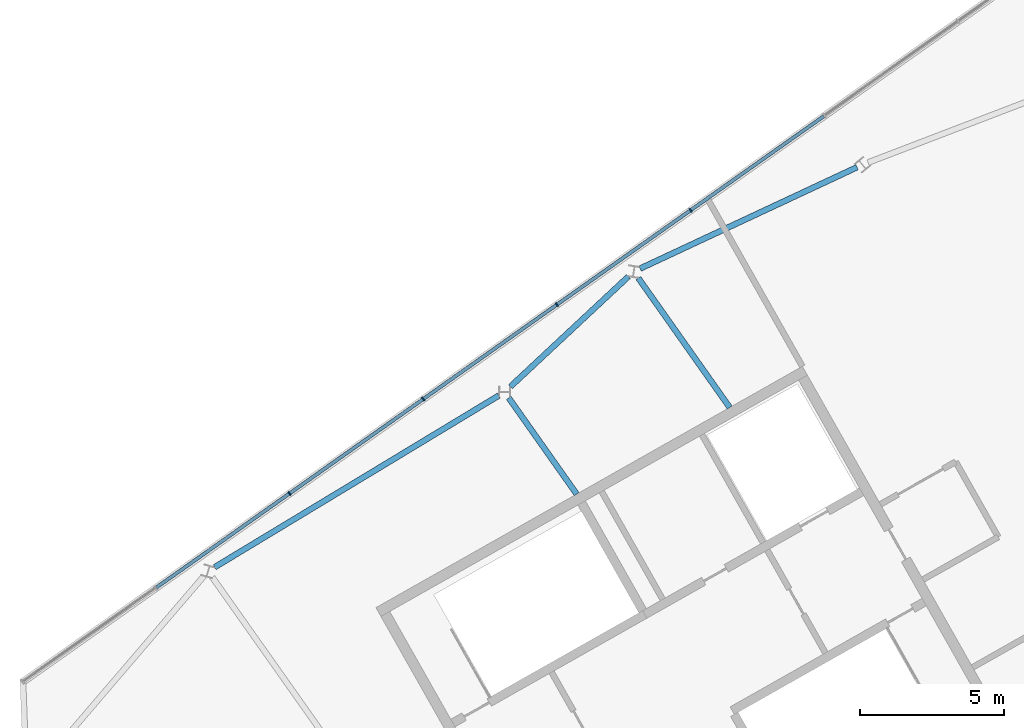
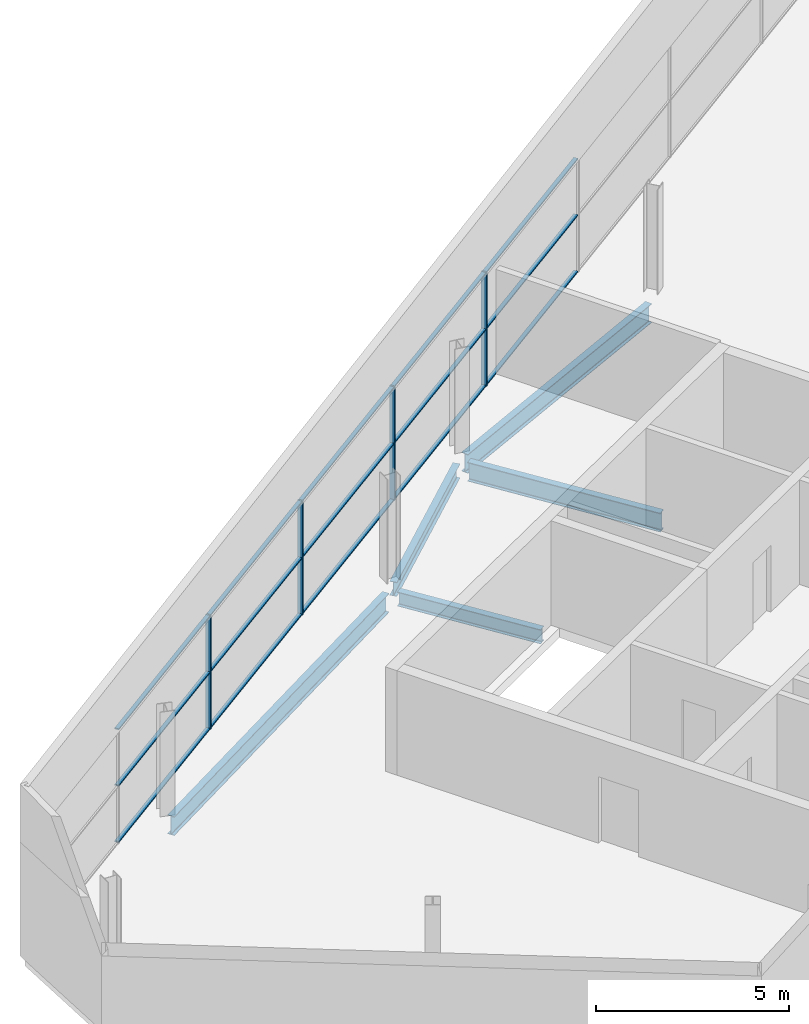
# One storey, part 5 of 10: 19 members, 5 beams, 1 element without a shape of its own.
"""IFC4 building model written with IfcOpenShell, lengths in metres."""

from ifc_helpers import new_model, si_unit, direction, frame, origin, origin_2d, place, context, subcontext, project, spatial, rectangle, i_section, extrude, material, material_profile, profile_set, type_object, element, aggregate, save


model = new_model("IFC4")

# Units and contexts
model_context = context("Model", 3, precision=1e-05, world=origin(), true_north=direction((0.0, 1.0)))
body_context = subcontext(model_context, "Body", "Model", "MODEL_VIEW")
ifc_project = project(units=[si_unit("LENGTHUNIT", "METRE"), si_unit("AREAUNIT", "SQUARE_METRE"), si_unit("VOLUMEUNIT", "CUBIC_METRE"), si_unit("PLANEANGLEUNIT", "RADIAN"), si_unit("MASSUNIT", "GRAM", prefix="KILO")], contexts=[model_context])

# Site, building, storey
site_placement = place(None, origin())
site = spatial("IfcSite", under=ifc_project, at=site_placement, CompositionType="ELEMENT")
building_placement = place(site_placement, origin())
building = spatial("IfcBuilding", under=site, at=building_placement, Name="Binnacle Exchange Tower", CompositionType="ELEMENT")
storey_placement = place(building_placement, frame((0.0, 0.0, 368.5)))
storey = spatial("IfcBuildingStorey", under=building, at=storey_placement, Name="L85", CompositionType="ELEMENT", Elevation=368.5)

# Curtain wall, members
ifc_material_1 = material(Name="Bronze anodised aluminium frame", Category="aluminium")
curtain_wall_type = type_object("IfcCurtainWallType", Name="External wall - curtain wall crown top", PredefinedType="NOTDEFINED", material=ifc_material_1)
curtain_wall_placement = place(storey_placement, origin())
curtain_wall = element("IfcCurtainWall", 1, at=curtain_wall_placement, inside=storey, type_object=curtain_wall_type, Name="External wall curtain wall CW6-C303 L85", PredefinedType="NOTDEFINED")
ifc_material_profile_1 = material_profile(ifc_material_1, rectangle(XDim=0.14990234375, YDim=0.050048828125, at=origin_2d()), Name="AL 50x150")
ifc_profile_set_1 = profile_set([ifc_material_profile_1], Name="Bronze anodised aluminium frame")
member_type_1 = type_object("IfcMemberType", Name="CW6 MULLION 50x150", PredefinedType="MULLION", material=ifc_profile_set_1)
member_1_placement = place(storey_placement, frame((-35.6904296875, 55.4619140625, 0.0), z_axis=(0.0, 0.0, 1.0), x_axis=(0.576854127285, -0.816847180221, 0.0)))
member_1 = element("IfcMember", 2, at=member_1_placement, type_object=member_type_1, Name="CW6-C303 mullion 5", PredefinedType="MULLION", context=body_context, shape_type="SweptSolid", body=[
    extrude(rectangle(XDim=0.14990234375, YDim=0.050048828125, at=origin_2d()), origin(), (0.0, 0.0, 1.0), 3.60009765625),
])
member_2_placement = place(storey_placement, frame((-40.329833984375, 52.185546875, 0.0), z_axis=(0.0, 0.0, 1.0), x_axis=(0.576854127285, -0.816847180221, 0.0)))
member_2 = element("IfcMember", 3, at=member_2_placement, type_object=member_type_1, Name="CW6-C303 mullion 6", PredefinedType="MULLION", context=body_context, shape_type="SweptSolid", body=[
    extrude(rectangle(XDim=0.14990234375, YDim=0.050048828125, at=origin_2d()), origin(), (0.0, 0.0, 1.0), 3.60009765625),
])
member_3_placement = place(storey_placement, frame((-44.969482421875, 48.9091796875, 0.0), z_axis=(0.0, 0.0, 1.0), x_axis=(0.576854127285, -0.816847180221, 0.0)))
member_3 = element("IfcMember", 4, at=member_3_placement, type_object=member_type_1, Name="CW6-C303 mullion 7", PredefinedType="MULLION", context=body_context, shape_type="SweptSolid", body=[
    extrude(rectangle(XDim=0.14990234375, YDim=0.050048828125, at=origin_2d()), origin(), (0.0, 0.0, 1.0), 3.60009765625),
])
member_4_placement = place(storey_placement, frame((-49.60888671875, 45.6328125, 0.0), z_axis=(0.0, 0.0, 1.0), x_axis=(0.576854127285, -0.816847180221, 0.0)))
member_4 = element("IfcMember", 5, at=member_4_placement, type_object=member_type_1, Name="CW6-C303 mullion 8", PredefinedType="MULLION", context=body_context, shape_type="SweptSolid", body=[
    extrude(rectangle(XDim=0.14990234375, YDim=0.050048828125, at=origin_2d()), origin(), (0.0, 0.0, 1.0), 3.60009765625),
])
ifc_material_profile_2 = material_profile(ifc_material_1, rectangle(XDim=0.1201171875, YDim=0.0400390625, at=origin_2d()), Name="AL 120x40")
ifc_profile_set_2 = profile_set([ifc_material_profile_2], Name="Bronze anodised aluminium frame")
member_type_2 = type_object("IfcMemberType", Name="CW6 TRANSOM 40x120", PredefinedType="USERDEFINED", material=ifc_profile_set_2)
member_5_placement = place(storey_placement, frame((-31.0712890625, 58.723876953125, 0.02001953125), z_axis=(-0.816845257746, -0.576856849572, 0.0), x_axis=(0.576856849572, -0.816845257746, 0.0)))
member_5 = element("IfcMember", 6, at=member_5_placement, type_object=member_type_2, Name="CW6-C303 transom 4.1", ObjectType="TRANSOM", PredefinedType="USERDEFINED", context=body_context, shape_type="SweptSolid", body=[
    extrude(rectangle(XDim=0.1201171875, YDim=0.0400390625, at=origin_2d()), origin(), (0.0, 0.0, 1.0), 5.629638671875),
])
member_6_placement = place(storey_placement, frame((-31.0712890625, 58.723876953125, 1.800048828125), z_axis=(-0.816845257746, -0.576856849572, 0.0), x_axis=(0.576856849572, -0.816845257746, 0.0)))
member_6 = element("IfcMember", 7, at=member_6_placement, type_object=member_type_2, Name="CW6-C303 transom 4.2", ObjectType="TRANSOM", PredefinedType="USERDEFINED", context=body_context, shape_type="SweptSolid", body=[
    extrude(rectangle(XDim=0.1201171875, YDim=0.0400390625, at=origin_2d()), origin(), (0.0, 0.0, 1.0), 5.629638671875),
])
member_7_placement = place(storey_placement, frame((-31.0712890625, 58.723876953125, 3.580078125), z_axis=(-0.816845257746, -0.576856849572, 0.0), x_axis=(0.576856849572, -0.816845257746, 0.0)))
member_7 = element("IfcMember", 8, at=member_7_placement, type_object=member_type_2, Name="CW6-C303 transom 4.3", ObjectType="TRANSOM", PredefinedType="USERDEFINED", context=body_context, shape_type="SweptSolid", body=[
    extrude(rectangle(XDim=0.1201171875, YDim=0.0400390625, at=origin_2d()), origin(), (0.0, 0.0, 1.0), 5.629638671875),
])
member_8_placement = place(storey_placement, frame((-35.710693359375, 55.447509765625, 0.02001953125), z_axis=(-0.816859687673, -0.576836415853, 0.0), x_axis=(0.576836415853, -0.816859687673, 0.0)))
member_8 = element("IfcMember", 9, at=member_8_placement, type_object=member_type_2, Name="CW6-C303 transom 5.1", ObjectType="TRANSOM", PredefinedType="USERDEFINED", context=body_context, shape_type="SweptSolid", body=[
    extrude(rectangle(XDim=0.1201171875, YDim=0.0400390625, at=origin_2d()), origin(), (0.0, 0.0, 1.0), 5.6298828125),
])
member_9_placement = place(storey_placement, frame((-35.710693359375, 55.447509765625, 1.800048828125), z_axis=(-0.816859687673, -0.576836415853, 0.0), x_axis=(0.576836415853, -0.816859687673, 0.0)))
member_9 = element("IfcMember", 10, at=member_9_placement, type_object=member_type_2, Name="CW6-C303 transom 5.2", ObjectType="TRANSOM", PredefinedType="USERDEFINED", context=body_context, shape_type="SweptSolid", body=[
    extrude(rectangle(XDim=0.1201171875, YDim=0.0400390625, at=origin_2d()), origin(), (0.0, 0.0, 1.0), 5.6298828125),
])
member_10_placement = place(storey_placement, frame((-35.710693359375, 55.447509765625, 3.580078125), z_axis=(-0.816859687673, -0.576836415853, 0.0), x_axis=(0.576836415853, -0.816859687673, 0.0)))
member_10 = element("IfcMember", 11, at=member_10_placement, type_object=member_type_2, Name="CW6-C303 transom 5.3", ObjectType="TRANSOM", PredefinedType="USERDEFINED", context=body_context, shape_type="SweptSolid", body=[
    extrude(rectangle(XDim=0.1201171875, YDim=0.0400390625, at=origin_2d()), origin(), (0.0, 0.0, 1.0), 5.6298828125),
])
member_11_placement = place(storey_placement, frame((-40.350341796875, 52.171142578125, 0.02001953125), z_axis=(-0.816845257746, -0.576856849572, 0.0), x_axis=(0.576856849572, -0.816845257746, 0.0)))
member_11 = element("IfcMember", 12, at=member_11_placement, type_object=member_type_2, Name="CW6-C303 transom 6.1", ObjectType="TRANSOM", PredefinedType="USERDEFINED", context=body_context, shape_type="SweptSolid", body=[
    extrude(rectangle(XDim=0.1201171875, YDim=0.0400390625, at=origin_2d()), origin(), (0.0, 0.0, 1.0), 5.629638671875),
])
member_12_placement = place(storey_placement, frame((-40.350341796875, 52.171142578125, 1.800048828125), z_axis=(-0.816845257746, -0.576856849572, 0.0), x_axis=(0.576856849572, -0.816845257746, 0.0)))
member_12 = element("IfcMember", 13, at=member_12_placement, type_object=member_type_2, Name="CW6-C303 transom 6.2", ObjectType="TRANSOM", PredefinedType="USERDEFINED", context=body_context, shape_type="SweptSolid", body=[
    extrude(rectangle(XDim=0.1201171875, YDim=0.0400390625, at=origin_2d()), origin(), (0.0, 0.0, 1.0), 5.629638671875),
])
member_13_placement = place(storey_placement, frame((-40.350341796875, 52.171142578125, 3.580078125), z_axis=(-0.816845257746, -0.576856849572, 0.0), x_axis=(0.576856849572, -0.816845257746, 0.0)))
member_13 = element("IfcMember", 14, at=member_13_placement, type_object=member_type_2, Name="CW6-C303 transom 6.3", ObjectType="TRANSOM", PredefinedType="USERDEFINED", context=body_context, shape_type="SweptSolid", body=[
    extrude(rectangle(XDim=0.1201171875, YDim=0.0400390625, at=origin_2d()), origin(), (0.0, 0.0, 1.0), 5.629638671875),
])
member_14_placement = place(storey_placement, frame((-44.989990234375, 48.894775390625, 0.02001953125), z_axis=(-0.816845257746, -0.576856849572, 0.0), x_axis=(0.576856849572, -0.816845257746, 0.0)))
member_14 = element("IfcMember", 15, at=member_14_placement, type_object=member_type_2, Name="CW6-C303 transom 7.1", ObjectType="TRANSOM", PredefinedType="USERDEFINED", context=body_context, shape_type="SweptSolid", body=[
    extrude(rectangle(XDim=0.1201171875, YDim=0.0400390625, at=origin_2d()), origin(), (0.0, 0.0, 1.0), 5.629638671875),
])
member_15_placement = place(storey_placement, frame((-44.989990234375, 48.894775390625, 1.800048828125), z_axis=(-0.816845257746, -0.576856849572, 0.0), x_axis=(0.576856849572, -0.816845257746, 0.0)))
member_15 = element("IfcMember", 16, at=member_15_placement, type_object=member_type_2, Name="CW6-C303 transom 7.2", ObjectType="TRANSOM", PredefinedType="USERDEFINED", context=body_context, shape_type="SweptSolid", body=[
    extrude(rectangle(XDim=0.1201171875, YDim=0.0400390625, at=origin_2d()), origin(), (0.0, 0.0, 1.0), 5.629638671875),
])
member_16_placement = place(storey_placement, frame((-44.989990234375, 48.894775390625, 3.580078125), z_axis=(-0.816845257746, -0.576856849572, 0.0), x_axis=(0.576856849572, -0.816845257746, 0.0)))
member_16 = element("IfcMember", 17, at=member_16_placement, type_object=member_type_2, Name="CW6-C303 transom 7.3", ObjectType="TRANSOM", PredefinedType="USERDEFINED", context=body_context, shape_type="SweptSolid", body=[
    extrude(rectangle(XDim=0.1201171875, YDim=0.0400390625, at=origin_2d()), origin(), (0.0, 0.0, 1.0), 5.629638671875),
])
member_17_placement = place(storey_placement, frame((-49.62939453125, 45.618408203125, 0.02001953125), z_axis=(-0.816845257746, -0.576856849572, 0.0), x_axis=(0.576856849572, -0.816845257746, 0.0)))
member_17 = element("IfcMember", 18, at=member_17_placement, type_object=member_type_2, Name="CW6-C303 transom 8.1", ObjectType="TRANSOM", PredefinedType="USERDEFINED", context=body_context, shape_type="SweptSolid", body=[
    extrude(rectangle(XDim=0.1201171875, YDim=0.0400390625, at=origin_2d()), origin(), (0.0, 0.0, 1.0), 5.629638671875),
])
member_18_placement = place(storey_placement, frame((-49.62939453125, 45.618408203125, 1.800048828125), z_axis=(-0.816845257746, -0.576856849572, 0.0), x_axis=(0.576856849572, -0.816845257746, 0.0)))
member_18 = element("IfcMember", 19, at=member_18_placement, type_object=member_type_2, Name="CW6-C303 transom 8.2", ObjectType="TRANSOM", PredefinedType="USERDEFINED", context=body_context, shape_type="SweptSolid", body=[
    extrude(rectangle(XDim=0.1201171875, YDim=0.0400390625, at=origin_2d()), origin(), (0.0, 0.0, 1.0), 5.629638671875),
])
member_19_placement = place(storey_placement, frame((-49.62939453125, 45.618408203125, 3.580078125), z_axis=(-0.816845257746, -0.576856849572, 0.0), x_axis=(0.576856849572, -0.816845257746, 0.0)))
member_19 = element("IfcMember", 20, at=member_19_placement, type_object=member_type_2, Name="CW6-C303 transom 8.3", ObjectType="TRANSOM", PredefinedType="USERDEFINED", context=body_context, shape_type="SweptSolid", body=[
    extrude(rectangle(XDim=0.1201171875, YDim=0.0400390625, at=origin_2d()), origin(), (0.0, 0.0, 1.0), 5.629638671875),
])
aggregate(curtain_wall, [member_1, member_2, member_3, member_4, member_5, member_6, member_7, member_8, member_9, member_10, member_11, member_12, member_13, member_14, member_15, member_16, member_17, member_18, member_19])

# Beams
ifc_material_2 = material(Name="Steel S355 (SHN355)", Category="steel")
ifc_material_profile_3 = material_profile(ifc_material_2, i_section(OverallWidth=0.199951171875, OverallDepth=0.449951171875, WebThickness=0.009033203125, FlangeThickness=0.013916015625, FilletRadius=0.01806640625, at=origin_2d()), Name="H 450x200x9x14")
ifc_profile_set_3 = profile_set([ifc_material_profile_3], Name="Steel S355 (SHN355)")
beam_type_1 = type_object("IfcBeamType", Name="Edge girder H 450x200x9x14 Steel S355 (SHN355)", PredefinedType="SPANDREL", material=ifc_profile_set_3)
beam_1_placement = place(storey_placement, frame((-37.849365234375, 53.160888671875, -0.52490234375), z_axis=(-0.731114744956, -0.682254519742, 0.0), x_axis=(0.682254519742, -0.731114744956, 0.0)))
element("IfcBeam", 21, at=beam_1_placement, inside=storey, type_object=beam_type_1, Name="S:BM:edge:L85:008", PredefinedType="SPANDREL", context=body_context, shape_type="SweptSolid", body=[
    extrude(i_section(OverallWidth=0.199951171875, OverallDepth=0.449951171875, WebThickness=0.009033203125, FlangeThickness=0.013916015625, FilletRadius=0.01806640625, at=origin_2d()), origin(), (0.0, 0.0, 1.0), 5.596435546875),
])
ifc_material_profile_4 = material_profile(ifc_material_2, i_section(OverallWidth=0.199951171875, OverallDepth=0.60009765625, WebThickness=0.010986328125, FlangeThickness=0.01708984375, FilletRadius=0.02197265625, at=origin_2d()), Name="H 600x200x11x17")
ifc_profile_set_4 = profile_set([ifc_material_profile_4], Name="Steel S355 (SHN355)")
beam_type_2 = type_object("IfcBeamType", Name="Edge girder H 600x200x11x17 Steel S355 (SHN355)", PredefinedType="SPANDREL", material=ifc_profile_set_4)
beam_2_placement = place(storey_placement, frame((-42.346435546875, 49.03076171875, -0.60009765625), z_axis=(-0.855938218744, -0.517078104056, 0.0), x_axis=(0.517078104056, -0.855938218744, 0.0)))
element("IfcBeam", 22, at=beam_2_placement, inside=storey, type_object=beam_type_2, Name="S:BM:edge:L85:007", PredefinedType="SPANDREL", context=body_context, shape_type="SweptSolid", body=[
    extrude(i_section(OverallWidth=0.199951171875, OverallDepth=0.60009765625, WebThickness=0.010986328125, FlangeThickness=0.01708984375, FilletRadius=0.02197265625, at=origin_2d()), origin(), (0.0, 0.0, 1.0), 11.515380859375),
])
beam_3_placement = place(storey_placement, frame((-29.916259765625, 56.9541015625, -0.60009765625), z_axis=(-0.90596987094, -0.423342170058, 0.0), x_axis=(0.423342170058, -0.90596987094, 0.0)))
element("IfcBeam", 23, at=beam_3_placement, inside=storey, type_object=beam_type_2, Name="S:BM:edge:L85:009", PredefinedType="SPANDREL", context=body_context, shape_type="SweptSolid", body=[
    extrude(i_section(OverallWidth=0.199951171875, OverallDepth=0.60009765625, WebThickness=0.010986328125, FlangeThickness=0.01708984375, FilletRadius=0.02197265625, at=origin_2d()), origin(), (0.0, 0.0, 1.0), 8.310302734375),
])
ifc_material_profile_5 = material_profile(ifc_material_2, i_section(OverallWidth=0.199951171875, OverallDepth=0.449951171875, WebThickness=0.009033203125, FlangeThickness=0.013916015625, FilletRadius=0.01806640625, at=origin_2d()), Name="H 450x200x9x14")
ifc_profile_set_5 = profile_set([ifc_material_profile_5], Name="Steel S355 (SHN355)")
beam_type_3 = type_object("IfcBeamType", Name="Floor beam H 450x200x9x14 Steel S355 (SHN355)", PredefinedType="BEAM", material=ifc_profile_set_5)
beam_4_placement = place(storey_placement, frame((-42.001220703125, 48.950439453125, -0.52490234375), z_axis=(0.576838015969, -0.816858557728, 0.0), x_axis=(0.816858557728, 0.576838015969, 0.0)))
element("IfcBeam", 24, at=beam_4_placement, inside=storey, type_object=beam_type_3, Name="S:BM:cross:L85:012", PredefinedType="BEAM", context=body_context, shape_type="SweptSolid", body=[
    extrude(i_section(OverallWidth=0.199951171875, OverallDepth=0.449951171875, WebThickness=0.009033203125, FlangeThickness=0.013916015625, FilletRadius=0.01806640625, at=origin_2d()), origin(), (0.0, 0.0, 1.0), 4.0859375),
])
ifc_material_profile_6 = material_profile(ifc_material_2, i_section(OverallWidth=0.199951171875, OverallDepth=0.60009765625, WebThickness=0.010986328125, FlangeThickness=0.01708984375, FilletRadius=0.02197265625, at=origin_2d()), Name="H 600x200x11x17")
ifc_profile_set_6 = profile_set([ifc_material_profile_6], Name="Steel S355 (SHN355)")
beam_type_4 = type_object("IfcBeamType", Name="Floor beam H 600x200x11x17 Steel S355 (SHN355)", PredefinedType="BEAM", material=ifc_profile_set_6)
beam_5_placement = place(storey_placement, frame((-37.502685546875, 53.10546875, -0.60009765625), z_axis=(0.576845440179, -0.81685331495, 0.0), x_axis=(0.81685331495, 0.576845440179, 0.0)))
element("IfcBeam", 25, at=beam_5_placement, inside=storey, type_object=beam_type_4, Name="S:BM:cross:L85:014", PredefinedType="BEAM", context=body_context, shape_type="SweptSolid", body=[
    extrude(i_section(OverallWidth=0.199951171875, OverallDepth=0.60009765625, WebThickness=0.010986328125, FlangeThickness=0.01708984375, FilletRadius=0.02197265625, at=origin_2d()), origin(), (0.0, 0.0, 1.0), 5.493896484375),
])

save(model, "model.ifc")
